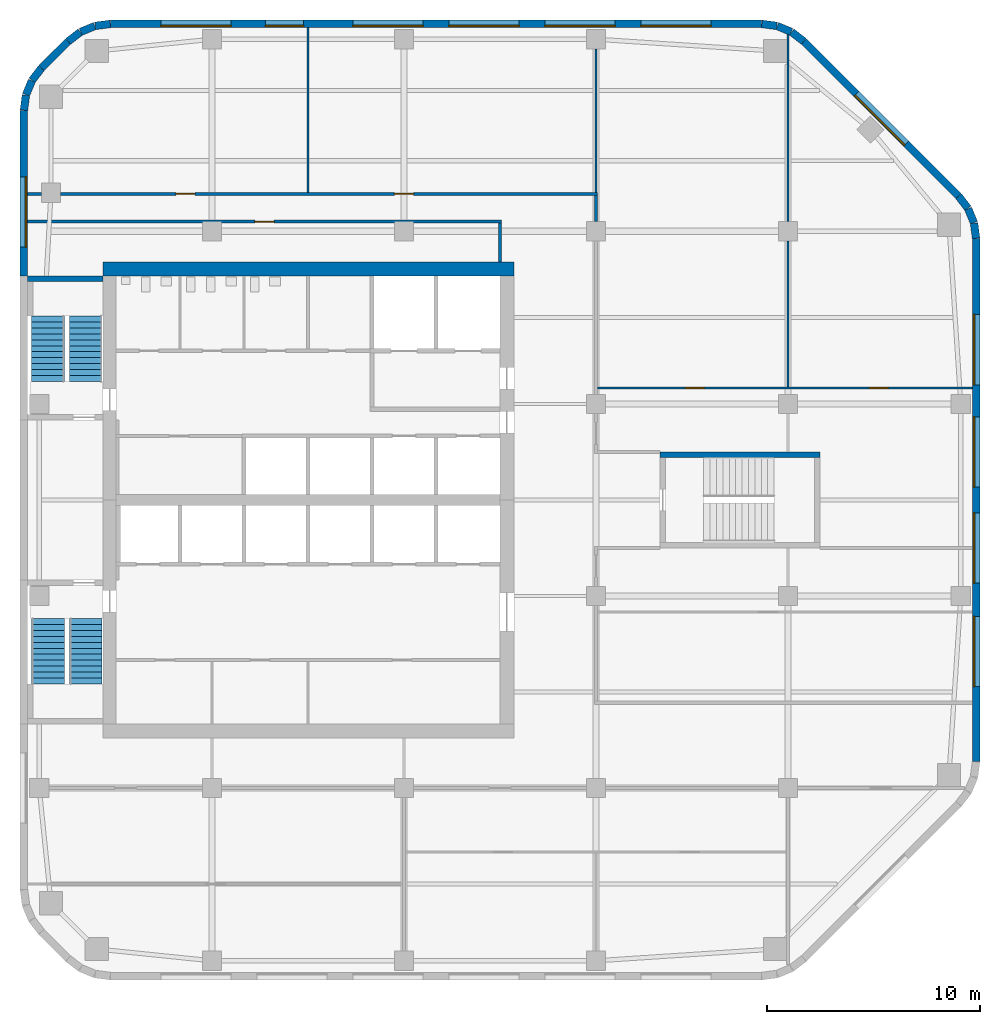
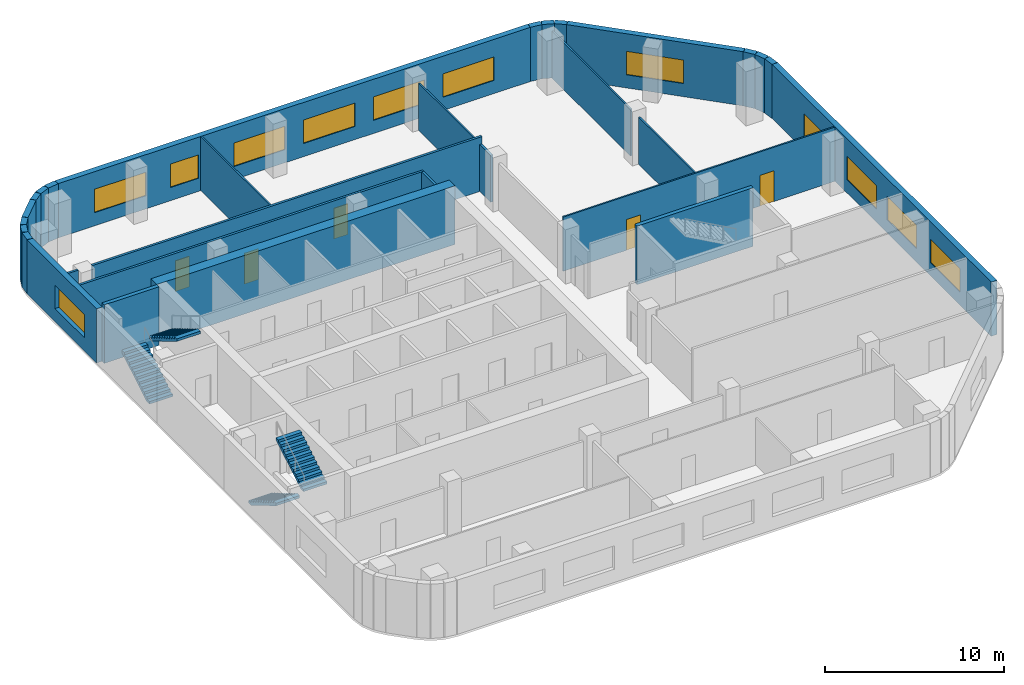
# One storey, part 5 of 8: 30 walls, 12 windows, 5 doors, 4 stair flights, 17 openings, 2 elements without a shape of their own.
"""IFC4 building model written with IfcOpenShell, lengths in metres."""

from ifc_helpers import new_model, si_unit, direction, frame, frame_2d, origin, place, context, subcontext, project, spatial, polyline, rectangle, outline, extrude, material, layer, layer_set, type_object, element, fill, aggregate, save


model = new_model("IFC4")

# Units and contexts
model_context = context("Model", 3, precision=1e-05, world=origin(), true_north=direction((0.0, 1.0)))
body_context = subcontext(model_context, "Body", "Model", "MODEL_VIEW")
ifc_project = project(units=[si_unit("LENGTHUNIT", "METRE"), si_unit("AREAUNIT", "SQUARE_METRE"), si_unit("VOLUMEUNIT", "CUBIC_METRE"), si_unit("PLANEANGLEUNIT", "RADIAN"), si_unit("MASSUNIT", "GRAM", prefix="KILO")], contexts=[model_context])

# Site, building, storey
site_placement = place(None, origin())
site = spatial("IfcSite", under=ifc_project, at=site_placement, CompositionType="ELEMENT")
building_placement = place(site_placement, origin())
building = spatial("IfcBuilding", under=site, at=building_placement, Name="Cinnabar Reach Civic Tower", CompositionType="ELEMENT")
storey_placement = place(building_placement, frame((0.0, 0.0, 189.0)))
storey = spatial("IfcBuildingStorey", under=building, at=storey_placement, Name="L45", CompositionType="ELEMENT", Elevation=189.0)

# Walls
ifc_material_1 = material(Name="Facing brick with insulated backing", Category="masonry")
ifc_layer_1 = layer(ifc_material_1, 0.36)
ifc_layer_set_1 = layer_set([ifc_layer_1], Name="Brick corner wall")
wall_type_1 = type_object("IfcWallType", Name="Brick corner wall", PredefinedType="STANDARD", material=ifc_layer_set_1)
for number, where, z_axis, x_axis, name in (
    (1, (44.817, 43.7686, 0.0), (0.0, 0.0, 1.0), (-0.13055608231, 0.99144092581, 0.0), "Brick corner wall"),
    (2, (44.7181, 44.4973, 0.0), (0.0, 0.0, 1.0), (-0.382702709855, 0.923871547278, 0.0), "Brick corner wall"),
):
    element("IfcWall", number, at=place(storey_placement, frame(where, z_axis=z_axis, x_axis=x_axis)), inside=storey, type_object=wall_type_1, Name=name, PredefinedType="STANDARD", context=body_context, shape_type="SweptSolid", body=[
        extrude(rectangle(XDim=0.7131, YDim=0.36, at=frame_2d((0.3565, 0.0))), origin(), (0.0, 0.0, 1.0), 3.7),
    ])
for number, where, z_axis, x_axis, name in (
    (3, (44.434, 45.1755, 0.0), (0.0, 0.0, 1.0), (-0.608802368033, 0.793321924995, 0.0), "Brick corner wall"),
    (4, (36.7413, 52.9998, 0.0), (0.0, 0.0, 1.0), (-0.793321924995, 0.608802368033, 0.0), "Brick corner wall"),
):
    element("IfcWall", number, at=place(storey_placement, frame(where, z_axis=z_axis, x_axis=x_axis)), inside=storey, type_object=wall_type_1, Name=name, PredefinedType="STANDARD", context=body_context, shape_type="SweptSolid", body=[
        extrude(rectangle(XDim=0.7132, YDim=0.36, at=frame_2d((0.3566, 0.0))), origin(), (0.0, 0.0, 1.0), 3.7),
    ])
for number, where, z_axis, x_axis, name in (
    (5, (36.1561, 53.4452, 0.0), (0.0, 0.0, 1.0), (-0.923871547278, 0.382702709855, 0.0), "Brick corner wall"),
    (6, (35.4756, 53.7239, 0.0), (0.0, 0.0, 1.0), (-0.99144092581, 0.13055608231, 0.0), "Brick corner wall"),
    (7, (4.2314, 53.817, 0.0), (0.0, 0.0, 1.0), (-0.99144092581, -0.13055608231, 0.0), "Brick corner wall"),
    (8, (3.5027, 53.7181, 0.0), (0.0, 0.0, 1.0), (-0.923871547278, -0.382702709855, 0.0), "Brick corner wall"),
):
    element("IfcWall", number, at=place(storey_placement, frame(where, z_axis=z_axis, x_axis=x_axis)), inside=storey, type_object=wall_type_1, Name=name, PredefinedType="STANDARD", context=body_context, shape_type="SweptSolid", body=[
        extrude(rectangle(XDim=0.7131, YDim=0.36, at=frame_2d((0.3565, 0.0))), origin(), (0.0, 0.0, 1.0), 3.7),
    ])
for number, where, z_axis, x_axis, name in (
    (9, (2.8245, 53.434, 0.0), (0.0, 0.0, 1.0), (-0.793321924995, -0.608802368033, 0.0), "Brick corner wall"),
    (10, (1.0002, 51.7413, 0.0), (0.0, 0.0, 1.0), (-0.608802368033, -0.793321924995, 0.0), "Brick corner wall"),
):
    element("IfcWall", number, at=place(storey_placement, frame(where, z_axis=z_axis, x_axis=x_axis)), inside=storey, type_object=wall_type_1, Name=name, PredefinedType="STANDARD", context=body_context, shape_type="SweptSolid", body=[
        extrude(rectangle(XDim=0.7132, YDim=0.36, at=frame_2d((0.3566, 0.0))), origin(), (0.0, 0.0, 1.0), 3.7),
    ])
for number, where, z_axis, x_axis, name in (
    (11, (0.5548, 51.1561, 0.0), (0.0, 0.0, 1.0), (-0.382702709855, -0.923871547278, 0.0), "Brick corner wall"),
    (12, (0.2761, 50.4756, 0.0), (0.0, 0.0, 1.0), (-0.13055608231, -0.99144092581, 0.0), "Brick corner wall"),
):
    element("IfcWall", number, at=place(storey_placement, frame(where, z_axis=z_axis, x_axis=x_axis)), inside=storey, type_object=wall_type_1, Name=name, PredefinedType="STANDARD", context=body_context, shape_type="SweptSolid", body=[
        extrude(rectangle(XDim=0.7131, YDim=0.36, at=frame_2d((0.3565, 0.0))), origin(), (0.0, 0.0, 1.0), 3.7),
    ])

# Wall, openings, windows
ifc_layer_2 = layer(ifc_material_1, 0.36)
ifc_layer_set_2 = layer_set([ifc_layer_2], Name="Brick pier and spandrel wall")
wall_type_2 = type_object("IfcWallType", Name="Brick pier and spandrel wall", PredefinedType="STANDARD", material=ifc_layer_set_2)
wall_1_placement = place(storey_placement, frame((44.82, 19.2426, 0.0), z_axis=(0.0, 0.0, 1.0), x_axis=(0.0, 1.0, 0.0)))
wall_1 = element("IfcWall", 13, at=wall_1_placement, inside=storey, type_object=wall_type_2, Name="Brick facade wall", PredefinedType="STANDARD", context=body_context, shape_type="SweptSolid", body=[
    extrude(rectangle(XDim=24.5148, YDim=0.36, at=frame_2d((12.2574, 0.0))), origin(), (0.0, 0.0, 1.0), 3.7),
])
opening_1_placement = place(wall_1_placement, frame((3.5074, 0.0, 0.9)))
opening_1 = element("IfcOpeningElement", 14, at=opening_1_placement, cuts=wall_1, Name="Opening W1928", PredefinedType="OPENING", context=body_context, shape_type="SweptSolid", body=[
    extrude(rectangle(XDim=3.3, YDim=1.6, at=frame_2d((1.65, 0.8))), frame((0.0, 0.19, 0.0), z_axis=(0.0, -1.0, 0.0), x_axis=(1.0, 0.0, 0.0)), (0.0, 0.0, 1.0), 0.38),
])
opening_2_placement = place(wall_1_placement, frame((8.3574, 0.0, 0.9)))
opening_2 = element("IfcOpeningElement", 15, at=opening_2_placement, cuts=wall_1, Name="Opening W1929", PredefinedType="OPENING", context=body_context, shape_type="SweptSolid", body=[
    extrude(rectangle(XDim=3.3, YDim=1.6, at=frame_2d((1.65, 0.8))), frame((0.0, 0.19, 0.0), z_axis=(0.0, -1.0, 0.0), x_axis=(1.0, 0.0, 0.0)), (0.0, 0.0, 1.0), 0.38),
])
opening_3_placement = place(wall_1_placement, frame((12.8574, 0.0, 0.9)))
opening_3 = element("IfcOpeningElement", 16, at=opening_3_placement, cuts=wall_1, Name="Opening W1930", PredefinedType="OPENING", context=body_context, shape_type="SweptSolid", body=[
    extrude(rectangle(XDim=3.3, YDim=1.6, at=frame_2d((1.65, 0.8))), frame((0.0, 0.19, 0.0), z_axis=(0.0, -1.0, 0.0), x_axis=(1.0, 0.0, 0.0)), (0.0, 0.0, 1.0), 0.38),
])
opening_4_placement = place(wall_1_placement, frame((17.6574, 0.0, 0.9)))
opening_4 = element("IfcOpeningElement", 17, at=opening_4_placement, cuts=wall_1, Name="Opening W1931", PredefinedType="OPENING", context=body_context, shape_type="SweptSolid", body=[
    extrude(rectangle(XDim=3.3, YDim=1.6, at=frame_2d((1.65, 0.8))), frame((0.0, 0.19, 0.0), z_axis=(0.0, -1.0, 0.0), x_axis=(1.0, 0.0, 0.0)), (0.0, 0.0, 1.0), 0.38),
])
ifc_material_2 = material(Name="Clear double glazing in aluminium frame", Category="aluminium")
window_type_1 = type_object("IfcWindowType", Name="Deep-set window A", PartitioningType="SINGLE_PANEL", PredefinedType="WINDOW", material=ifc_material_2)
window_1_placement = place(opening_1_placement, origin())
window_1 = element("IfcWindow", 18, at=window_1_placement, inside=storey, type_object=window_type_1, Name="Window east face", OverallHeight=1.6, OverallWidth=3.3, PartitioningType="SINGLE_PANEL", PredefinedType="WINDOW", context=body_context, shape_type="SweptSolid", body=[
    extrude(rectangle(XDim=3.3, YDim=1.6, at=frame_2d((1.65, 0.8))), frame((0.0, 0.13, 0.0), z_axis=(0.0, -1.0, 0.0), x_axis=(1.0, 0.0, 0.0)), (0.0, 0.0, 1.0), 0.06),
])
fill(opening_1, window_1)
window_2_placement = place(opening_2_placement, origin())
window_2 = element("IfcWindow", 19, at=window_2_placement, inside=storey, type_object=window_type_1, Name="Window east face", OverallHeight=1.6, OverallWidth=3.3, PartitioningType="SINGLE_PANEL", PredefinedType="WINDOW", context=body_context, shape_type="SweptSolid", body=[
    extrude(rectangle(XDim=3.3, YDim=1.6, at=frame_2d((1.65, 0.8))), frame((0.0, 0.13, 0.0), z_axis=(0.0, -1.0, 0.0), x_axis=(1.0, 0.0, 0.0)), (0.0, 0.0, 1.0), 0.06),
])
fill(opening_2, window_2)
window_3_placement = place(opening_3_placement, origin())
window_3 = element("IfcWindow", 20, at=window_3_placement, inside=storey, type_object=window_type_1, Name="Window east face", OverallHeight=1.6, OverallWidth=3.3, PartitioningType="SINGLE_PANEL", PredefinedType="WINDOW", context=body_context, shape_type="SweptSolid", body=[
    extrude(rectangle(XDim=3.3, YDim=1.6, at=frame_2d((1.65, 0.8))), frame((0.0, 0.13, 0.0), z_axis=(0.0, -1.0, 0.0), x_axis=(1.0, 0.0, 0.0)), (0.0, 0.0, 1.0), 0.06),
])
fill(opening_3, window_3)
window_4_placement = place(opening_4_placement, origin())
window_4 = element("IfcWindow", 21, at=window_4_placement, inside=storey, type_object=window_type_1, Name="Window east face", OverallHeight=1.6, OverallWidth=3.3, PartitioningType="SINGLE_PANEL", PredefinedType="WINDOW", context=body_context, shape_type="SweptSolid", body=[
    extrude(rectangle(XDim=3.3, YDim=1.6, at=frame_2d((1.65, 0.8))), frame((0.0, 0.13, 0.0), z_axis=(0.0, -1.0, 0.0), x_axis=(1.0, 0.0, 0.0)), (0.0, 0.0, 1.0), 0.06),
])
fill(opening_4, window_4)

# Wall, opening, window
wall_2_placement = place(storey_placement, frame((43.994, 45.7514, 0.0), z_axis=(0.0, 0.0, 1.0), x_axis=(-0.707106781187, 0.707106781187, 0.0)))
wall_2 = element("IfcWall", 22, at=wall_2_placement, inside=storey, type_object=wall_type_2, Name="Brick facade wall", PredefinedType="STANDARD", context=body_context, shape_type="SweptSolid", body=[
    extrude(rectangle(XDim=10.2426, YDim=0.36, at=frame_2d((5.1213, 0.0))), origin(), (0.0, 0.0, 1.0), 3.7),
])
opening_5_placement = place(wall_2_placement, frame((3.4713, 0.0, 0.9)))
opening_5 = element("IfcOpeningElement", 23, at=opening_5_placement, cuts=wall_2, Name="Opening W1932", PredefinedType="OPENING", context=body_context, shape_type="SweptSolid", body=[
    extrude(rectangle(XDim=3.3, YDim=1.6, at=frame_2d((1.65, 0.8))), frame((0.0, 0.19, 0.0), z_axis=(0.0, -1.0, 0.0), x_axis=(1.0, 0.0, 0.0)), (0.0, 0.0, 1.0), 0.38),
])
window_5_placement = place(opening_5_placement, origin())
window_5 = element("IfcWindow", 24, at=window_5_placement, inside=storey, type_object=window_type_1, Name="Window northeast face", OverallHeight=1.6, OverallWidth=3.3, PartitioningType="SINGLE_PANEL", PredefinedType="WINDOW", context=body_context, shape_type="SweptSolid", body=[
    extrude(rectangle(XDim=3.3, YDim=1.6, at=frame_2d((1.65, 0.8))), frame((0.0, 0.13, 0.0), z_axis=(0.0, -1.0, 0.0), x_axis=(1.0, 0.0, 0.0)), (0.0, 0.0, 1.0), 0.06),
])
fill(opening_5, window_5)

# Wall, openings, windows
wall_3_placement = place(storey_placement, frame((34.7574, 53.82, 0.0), z_axis=(0.0, 0.0, 1.0), x_axis=(-1.0, 0.0, 0.0)))
wall_3 = element("IfcWall", 25, at=wall_3_placement, inside=storey, type_object=wall_type_2, Name="Brick facade wall", PredefinedType="STANDARD", context=body_context, shape_type="SweptSolid", body=[
    extrude(rectangle(XDim=30.5148, YDim=0.36, at=frame_2d((15.2574, 0.0))), origin(), (0.0, 0.0, 1.0), 3.7),
])
opening_6_placement = place(wall_3_placement, frame((2.3574, 0.0, 0.9)))
opening_6 = element("IfcOpeningElement", 26, at=opening_6_placement, cuts=wall_3, Name="Opening W1933", PredefinedType="OPENING", context=body_context, shape_type="SweptSolid", body=[
    extrude(rectangle(XDim=3.3, YDim=1.6, at=frame_2d((1.65, 0.8))), frame((0.0, 0.19, 0.0), z_axis=(0.0, -1.0, 0.0), x_axis=(1.0, 0.0, 0.0)), (0.0, 0.0, 1.0), 0.38),
])
opening_7_placement = place(wall_3_placement, frame((6.8574, 0.0, 0.9)))
opening_7 = element("IfcOpeningElement", 27, at=opening_7_placement, cuts=wall_3, Name="Opening W1934", PredefinedType="OPENING", context=body_context, shape_type="SweptSolid", body=[
    extrude(rectangle(XDim=3.3, YDim=1.6, at=frame_2d((1.65, 0.8))), frame((0.0, 0.19, 0.0), z_axis=(0.0, -1.0, 0.0), x_axis=(1.0, 0.0, 0.0)), (0.0, 0.0, 1.0), 0.38),
])
opening_8_placement = place(wall_3_placement, frame((11.3574, 0.0, 0.9)))
opening_8 = element("IfcOpeningElement", 28, at=opening_8_placement, cuts=wall_3, Name="Opening W1935", PredefinedType="OPENING", context=body_context, shape_type="SweptSolid", body=[
    extrude(rectangle(XDim=3.3, YDim=1.6, at=frame_2d((1.65, 0.8))), frame((0.0, 0.19, 0.0), z_axis=(0.0, -1.0, 0.0), x_axis=(1.0, 0.0, 0.0)), (0.0, 0.0, 1.0), 0.38),
])
opening_9_placement = place(wall_3_placement, frame((15.8574, 0.0, 0.9)))
opening_9 = element("IfcOpeningElement", 29, at=opening_9_placement, cuts=wall_3, Name="Opening W1936", PredefinedType="OPENING", context=body_context, shape_type="SweptSolid", body=[
    extrude(rectangle(XDim=3.3, YDim=1.6, at=frame_2d((1.65, 0.8))), frame((0.0, 0.19, 0.0), z_axis=(0.0, -1.0, 0.0), x_axis=(1.0, 0.0, 0.0)), (0.0, 0.0, 1.0), 0.38),
])
opening_10_placement = place(wall_3_placement, frame((21.4574, 0.0, 0.9)))
opening_10 = element("IfcOpeningElement", 30, at=opening_10_placement, cuts=wall_3, Name="Opening W1937", PredefinedType="OPENING", context=body_context, shape_type="SweptSolid", body=[
    extrude(rectangle(XDim=1.8, YDim=1.6, at=frame_2d((0.9, 0.8))), frame((0.0, 0.19, 0.0), z_axis=(0.0, -1.0, 0.0), x_axis=(1.0, 0.0, 0.0)), (0.0, 0.0, 1.0), 0.38),
])
opening_11_placement = place(wall_3_placement, frame((24.8574, 0.0, 0.9)))
opening_11 = element("IfcOpeningElement", 31, at=opening_11_placement, cuts=wall_3, Name="Opening W1938", PredefinedType="OPENING", context=body_context, shape_type="SweptSolid", body=[
    extrude(rectangle(XDim=3.3, YDim=1.6, at=frame_2d((1.65, 0.8))), frame((0.0, 0.19, 0.0), z_axis=(0.0, -1.0, 0.0), x_axis=(1.0, 0.0, 0.0)), (0.0, 0.0, 1.0), 0.38),
])
window_6_placement = place(opening_6_placement, origin())
window_6 = element("IfcWindow", 32, at=window_6_placement, inside=storey, type_object=window_type_1, Name="Window north face", OverallHeight=1.6, OverallWidth=3.3, PartitioningType="SINGLE_PANEL", PredefinedType="WINDOW", context=body_context, shape_type="SweptSolid", body=[
    extrude(rectangle(XDim=3.3, YDim=1.6, at=frame_2d((1.65, 0.8))), frame((0.0, 0.13, 0.0), z_axis=(0.0, -1.0, 0.0), x_axis=(1.0, 0.0, 0.0)), (0.0, 0.0, 1.0), 0.06),
])
fill(opening_6, window_6)
window_7_placement = place(opening_7_placement, origin())
window_7 = element("IfcWindow", 33, at=window_7_placement, inside=storey, type_object=window_type_1, Name="Window north face", OverallHeight=1.6, OverallWidth=3.3, PartitioningType="SINGLE_PANEL", PredefinedType="WINDOW", context=body_context, shape_type="SweptSolid", body=[
    extrude(rectangle(XDim=3.3, YDim=1.6, at=frame_2d((1.65, 0.8))), frame((0.0, 0.13, 0.0), z_axis=(0.0, -1.0, 0.0), x_axis=(1.0, 0.0, 0.0)), (0.0, 0.0, 1.0), 0.06),
])
fill(opening_7, window_7)
window_8_placement = place(opening_8_placement, origin())
window_8 = element("IfcWindow", 34, at=window_8_placement, inside=storey, type_object=window_type_1, Name="Window north face", OverallHeight=1.6, OverallWidth=3.3, PartitioningType="SINGLE_PANEL", PredefinedType="WINDOW", context=body_context, shape_type="SweptSolid", body=[
    extrude(rectangle(XDim=3.3, YDim=1.6, at=frame_2d((1.65, 0.8))), frame((0.0, 0.13, 0.0), z_axis=(0.0, -1.0, 0.0), x_axis=(1.0, 0.0, 0.0)), (0.0, 0.0, 1.0), 0.06),
])
fill(opening_8, window_8)
window_9_placement = place(opening_9_placement, origin())
window_9 = element("IfcWindow", 35, at=window_9_placement, inside=storey, type_object=window_type_1, Name="Window north face", OverallHeight=1.6, OverallWidth=3.3, PartitioningType="SINGLE_PANEL", PredefinedType="WINDOW", context=body_context, shape_type="SweptSolid", body=[
    extrude(rectangle(XDim=3.3, YDim=1.6, at=frame_2d((1.65, 0.8))), frame((0.0, 0.13, 0.0), z_axis=(0.0, -1.0, 0.0), x_axis=(1.0, 0.0, 0.0)), (0.0, 0.0, 1.0), 0.06),
])
fill(opening_9, window_9)
window_10_placement = place(opening_11_placement, origin())
window_10 = element("IfcWindow", 36, at=window_10_placement, inside=storey, type_object=window_type_1, Name="Window north face", OverallHeight=1.6, OverallWidth=3.3, PartitioningType="SINGLE_PANEL", PredefinedType="WINDOW", context=body_context, shape_type="SweptSolid", body=[
    extrude(rectangle(XDim=3.3, YDim=1.6, at=frame_2d((1.65, 0.8))), frame((0.0, 0.13, 0.0), z_axis=(0.0, -1.0, 0.0), x_axis=(1.0, 0.0, 0.0)), (0.0, 0.0, 1.0), 0.06),
])
fill(opening_11, window_10)
window_type_2 = type_object("IfcWindowType", Name="Deep-set window D", PartitioningType="SINGLE_PANEL", PredefinedType="WINDOW", material=ifc_material_2)
window_11_placement = place(opening_10_placement, origin())
window_11 = element("IfcWindow", 37, at=window_11_placement, inside=storey, type_object=window_type_2, Name="Window north face", OverallHeight=1.6, OverallWidth=1.8, PartitioningType="SINGLE_PANEL", PredefinedType="WINDOW", context=body_context, shape_type="SweptSolid", body=[
    extrude(rectangle(XDim=1.8, YDim=1.6, at=frame_2d((0.9, 0.8))), frame((0.0, 0.13, 0.0), z_axis=(0.0, -1.0, 0.0), x_axis=(1.0, 0.0, 0.0)), (0.0, 0.0, 1.0), 0.06),
])
fill(opening_10, window_11)

# Wall
wall_4_placement = place(storey_placement, frame((2.2486, 52.994, 0.0), z_axis=(0.0, 0.0, 1.0), x_axis=(-0.707106781187, -0.707106781187, 0.0)))
element("IfcWall", 38, at=wall_4_placement, inside=storey, type_object=wall_type_2, Name="Brick facade wall", PredefinedType="STANDARD", context=body_context, shape_type="SweptSolid", body=[
    extrude(rectangle(XDim=1.7573, YDim=0.36, at=frame_2d((0.8787, 0.0))), origin(), (0.0, 0.0, 1.0), 3.7),
])

# Wall, opening, window
wall_5_placement = place(storey_placement, frame((0.18, 49.7574, 0.0), z_axis=(0.0, 0.0, 1.0), x_axis=(0.0, -1.0, 0.0)))
wall_5 = element("IfcWall", 39, at=wall_5_placement, inside=storey, type_object=wall_type_2, Name="Brick facade wall", PredefinedType="STANDARD", context=body_context, shape_type="SweptSolid", body=[
    extrude(rectangle(XDim=7.7574, YDim=0.36, at=frame_2d((3.8787, 0.0))), origin(), (0.0, 0.0, 1.0), 3.7),
])
opening_12_placement = place(wall_5_placement, frame((3.1074, 0.0, 0.9)))
opening_12 = element("IfcOpeningElement", 40, at=opening_12_placement, cuts=wall_5, Name="Opening W1939", PredefinedType="OPENING", context=body_context, shape_type="SweptSolid", body=[
    extrude(rectangle(XDim=3.3, YDim=1.6, at=frame_2d((1.65, 0.8))), frame((0.0, 0.19, 0.0), z_axis=(0.0, -1.0, 0.0), x_axis=(1.0, 0.0, 0.0)), (0.0, 0.0, 1.0), 0.38),
])
window_12_placement = place(opening_12_placement, origin())
window_12 = element("IfcWindow", 41, at=window_12_placement, inside=storey, type_object=window_type_1, Name="Window west face", OverallHeight=1.6, OverallWidth=3.3, PartitioningType="SINGLE_PANEL", PredefinedType="WINDOW", context=body_context, shape_type="SweptSolid", body=[
    extrude(rectangle(XDim=3.3, YDim=1.6, at=frame_2d((1.65, 0.8))), frame((0.0, 0.13, 0.0), z_axis=(0.0, -1.0, 0.0), x_axis=(1.0, 0.0, 0.0)), (0.0, 0.0, 1.0), 0.06),
])
fill(opening_12, window_12)

# Wall
ifc_material_3 = material(Name="Concrete C70", Category="concrete")
ifc_layer_3 = layer(ifc_material_3, 0.65)
ifc_layer_set_3 = layer_set([ifc_layer_3], Name="Core wall 650 EI 180")
wall_type_3 = type_object("IfcWallType", Name="Core wall 650 EI 180", PredefinedType="SOLIDWALL", material=ifc_layer_set_3)
wall_6_placement = place(storey_placement, frame((23.15, 42.325, 0.0), z_axis=(0.0, 0.0, 1.0), x_axis=(-1.0, 0.0, 0.0)))
element("IfcWall", 42, at=wall_6_placement, inside=storey, type_object=wall_type_3, Name="Core wall T1 L45 N", PredefinedType="SOLIDWALL", context=body_context, shape_type="SweptSolid", body=[
    extrude(rectangle(XDim=19.25, YDim=0.65, at=frame_2d((9.625, 0.0))), origin(), (0.0, 0.0, 1.0), 4.0),
])

# Wall, openings, doors
ifc_material_4 = material(Name="Gypsum board on steel studs, double layer", Category="steel")
ifc_layer_4 = layer(ifc_material_4, 0.15)
ifc_layer_set_4 = layer_set([ifc_layer_4], Name="Corridor wall 150 T1")
wall_type_4 = type_object("IfcWallType", Name="Corridor wall 150 T1", PredefinedType="PARTITIONING", material=ifc_layer_set_4)
wall_7_placement = place(storey_placement, frame((1.9031, 45.85, 0.0), z_axis=(0.0, 0.0, 1.0), x_axis=(1.0, 0.0, 0.0)))
wall_7 = element("IfcWall", 43, at=wall_7_placement, inside=storey, type_object=wall_type_4, Name="Corridor wall 23", PredefinedType="PARTITIONING", context=body_context, shape_type="SweptSolid", body=[
    extrude(rectangle(XDim=25.1719, YDim=0.15, at=frame_2d((12.586, 0.0))), origin(), (0.0, 0.0, 1.0), 3.7),
])
opening_13_placement = place(wall_7_placement, frame((5.4, 0.0, 0.0)))
opening_13 = element("IfcOpeningElement", 44, at=opening_13_placement, cuts=wall_7, Name="Opening D4870", PredefinedType="OPENING", context=body_context, shape_type="SweptSolid", body=[
    extrude(rectangle(XDim=0.9, YDim=2.1, at=frame_2d((0.45, 1.05))), frame((0.0, 0.085, 0.0), z_axis=(0.0, -1.0, 0.0), x_axis=(1.0, 0.0, 0.0)), (0.0, 0.0, 1.0), 0.17),
])
opening_14_placement = place(wall_7_placement, frame((15.6469, 0.0, 0.0)))
opening_14 = element("IfcOpeningElement", 45, at=opening_14_placement, cuts=wall_7, Name="Opening D4871", PredefinedType="OPENING", context=body_context, shape_type="SweptSolid", body=[
    extrude(rectangle(XDim=0.9, YDim=2.1, at=frame_2d((0.45, 1.05))), frame((0.0, 0.085, 0.0), z_axis=(0.0, -1.0, 0.0), x_axis=(1.0, 0.0, 0.0)), (0.0, 0.0, 1.0), 0.17),
])
ifc_material_5 = material(Name="Timber door leaf in steel frame", Category="steel")
door_type_1 = type_object("IfcDoorType", Name="Single swing door 900 x 2100 corridor T1", OperationType="SINGLE_SWING_LEFT", PredefinedType="DOOR", material=ifc_material_5)
door_1_placement = place(opening_13_placement, origin())
door_1 = element("IfcDoor", 46, at=door_1_placement, inside=storey, type_object=door_type_1, Name="Door D4870", OperationType="SINGLE_SWING_LEFT", OverallHeight=2.1, OverallWidth=0.9, PredefinedType="DOOR", context=body_context, shape_type="SweptSolid", body=[
    extrude(rectangle(XDim=0.9, YDim=2.1, at=frame_2d((0.45, 1.05))), frame((0.0, 0.025, 0.0), z_axis=(0.0, -1.0, 0.0), x_axis=(1.0, 0.0, 0.0)), (0.0, 0.0, 1.0), 0.05),
])
fill(opening_13, door_1)
door_2_placement = place(opening_14_placement, origin())
door_2 = element("IfcDoor", 47, at=door_2_placement, inside=storey, type_object=door_type_1, Name="Door D4871", OperationType="SINGLE_SWING_LEFT", OverallHeight=2.1, OverallWidth=0.9, PredefinedType="DOOR", context=body_context, shape_type="SweptSolid", body=[
    extrude(rectangle(XDim=0.9, YDim=2.1, at=frame_2d((0.45, 1.05))), frame((0.0, 0.025, 0.0), z_axis=(0.0, -1.0, 0.0), x_axis=(1.0, 0.0, 0.0)), (0.0, 0.0, 1.0), 0.05),
])
fill(opening_14, door_2)

# Wall
wall_8_placement = place(storey_placement, frame((0.36, 45.85, 0.0), z_axis=(0.0, 0.0, 1.0), x_axis=(1.0, 0.0, 0.0)))
element("IfcWall", 48, at=wall_8_placement, inside=storey, type_object=wall_type_4, Name="Corridor wall 24", PredefinedType="PARTITIONING", context=body_context, shape_type="SweptSolid", body=[
    extrude(rectangle(XDim=0.6431, YDim=0.15, at=frame_2d((0.3216, 0.0))), origin(), (0.0, 0.0, 1.0), 3.7),
])

# Wall, opening, door
wall_9_placement = place(storey_placement, frame((0.36, 44.55, 0.0), z_axis=(0.0, 0.0, 1.0), x_axis=(1.0, 0.0, 0.0)))
wall_9 = element("IfcWall", 49, at=wall_9_placement, inside=storey, type_object=wall_type_4, Name="Corridor wall 25", PredefinedType="PARTITIONING", context=body_context, shape_type="SweptSolid", body=[
    extrude(rectangle(XDim=22.215, YDim=0.15, at=frame_2d((11.1075, 0.0))), origin(), (0.0, 0.0, 1.0), 3.7),
])
opening_15_placement = place(wall_9_placement, frame((10.65, 0.0, 0.0)))
opening_15 = element("IfcOpeningElement", 50, at=opening_15_placement, cuts=wall_9, Name="Opening D5800", PredefinedType="OPENING", context=body_context, shape_type="SweptSolid", body=[
    extrude(rectangle(XDim=0.9, YDim=2.1, at=frame_2d((0.45, 1.05))), frame((0.0, 0.085, 0.0), z_axis=(0.0, -1.0, 0.0), x_axis=(1.0, 0.0, 0.0)), (0.0, 0.0, 1.0), 0.17),
])
door_3_placement = place(opening_15_placement, frame((0.9, 0.0, 0.0), z_axis=(0.0, 0.0, 1.0), x_axis=(-1.0, 0.0, 0.0)))
door_3 = element("IfcDoor", 51, at=door_3_placement, inside=storey, type_object=door_type_1, Name="Door D5800", OperationType="SINGLE_SWING_RIGHT", OverallHeight=2.1, OverallWidth=0.9, PredefinedType="DOOR", context=body_context, shape_type="SweptSolid", body=[
    extrude(rectangle(XDim=0.9, YDim=2.1, at=frame_2d((0.45, 1.05))), frame((0.0, 0.025, 0.0), z_axis=(0.0, -1.0, 0.0), x_axis=(1.0, 0.0, 0.0)), (0.0, 0.0, 1.0), 0.05),
])
fill(opening_15, door_3)

# Walls
wall_10_placement = place(storey_placement, frame((27.0, 44.55, 0.0), z_axis=(0.0, 0.0, 1.0), x_axis=(0.0, 1.0, 0.0)))
element("IfcWall", 52, at=wall_10_placement, inside=storey, type_object=wall_type_4, Name="Corridor wall 30", PredefinedType="PARTITIONING", context=body_context, shape_type="SweptSolid", body=[
    extrude(rectangle(XDim=1.225, YDim=0.15, at=frame_2d((0.6125, 0.0))), origin(), (0.0, 0.0, 1.0), 3.212),
])
wall_11_placement = place(storey_placement, frame((22.5, 42.65, 0.0), z_axis=(0.0, 0.0, 1.0), x_axis=(0.0, 1.0, 0.0)))
element("IfcWall", 53, at=wall_11_placement, inside=storey, type_object=wall_type_4, Name="Corridor wall 39", PredefinedType="PARTITIONING", context=body_context, shape_type="SweptSolid", body=[
    extrude(rectangle(XDim=1.825, YDim=0.15, at=frame_2d((0.9125, 0.0))), origin(), (0.0, 0.0, 1.0), 3.7),
])

# Wall, openings, doors
ifc_material_6 = material(Name="Gypsum board on steel studs", Category="steel")
ifc_layer_5 = layer(ifc_material_6, 0.1)
ifc_layer_set_5 = layer_set([ifc_layer_5], Name="Partition wall 100 T1")
wall_type_5 = type_object("IfcWallType", Name="Partition wall 100 T1", PredefinedType="PARTITIONING", material=ifc_layer_set_5)
wall_12_placement = place(storey_placement, frame((27.075, 36.75, 0.0), z_axis=(0.0, 0.0, 1.0), x_axis=(1.0, 0.0, 0.0)))
wall_12 = element("IfcWall", 54, at=wall_12_placement, inside=storey, type_object=wall_type_5, Name="Partition wall 48", PredefinedType="PARTITIONING", context=body_context, shape_type="SweptSolid", body=[
    extrude(rectangle(XDim=17.565, YDim=0.1, at=frame_2d((8.7825, 0.0))), origin(), (0.0, 0.0, 1.0), 3.7),
])
opening_16_placement = place(wall_12_placement, frame((4.1, 0.0, 0.0)))
opening_16 = element("IfcOpeningElement", 55, at=opening_16_placement, cuts=wall_12, Name="Opening D4860", PredefinedType="OPENING", context=body_context, shape_type="SweptSolid", body=[
    extrude(rectangle(XDim=0.9, YDim=2.1, at=frame_2d((0.45, 1.05))), frame((0.0, 0.06, 0.0), z_axis=(0.0, -1.0, 0.0), x_axis=(1.0, 0.0, 0.0)), (0.0, 0.0, 1.0), 0.12),
])
opening_17_placement = place(wall_12_placement, frame((12.725, 0.0, 0.0)))
opening_17 = element("IfcOpeningElement", 56, at=opening_17_placement, cuts=wall_12, Name="Opening D4861", PredefinedType="OPENING", context=body_context, shape_type="SweptSolid", body=[
    extrude(rectangle(XDim=0.9, YDim=2.1, at=frame_2d((0.45, 1.05))), frame((0.0, 0.06, 0.0), z_axis=(0.0, -1.0, 0.0), x_axis=(1.0, 0.0, 0.0)), (0.0, 0.0, 1.0), 0.12),
])
door_type_2 = type_object("IfcDoorType", Name="Single swing door 900 x 2100 T1", OperationType="SINGLE_SWING_LEFT", PredefinedType="DOOR", material=ifc_material_5)
door_4_placement = place(opening_16_placement, frame((0.9, 0.0, 0.0), z_axis=(0.0, 0.0, 1.0), x_axis=(-1.0, 0.0, 0.0)))
door_4 = element("IfcDoor", 57, at=door_4_placement, inside=storey, type_object=door_type_2, Name="Door D4860", OperationType="SINGLE_SWING_LEFT", OverallHeight=2.1, OverallWidth=0.9, PredefinedType="DOOR", context=body_context, shape_type="SweptSolid", body=[
    extrude(rectangle(XDim=0.9, YDim=2.1, at=frame_2d((0.45, 1.05))), frame((0.0, 0.025, 0.0), z_axis=(0.0, -1.0, 0.0), x_axis=(1.0, 0.0, 0.0)), (0.0, 0.0, 1.0), 0.05),
])
fill(opening_16, door_4)
door_5_placement = place(opening_17_placement, frame((0.9, 0.0, 0.0), z_axis=(0.0, 0.0, 1.0), x_axis=(-1.0, 0.0, 0.0)))
door_5 = element("IfcDoor", 58, at=door_5_placement, inside=storey, type_object=door_type_2, Name="Door D4861", OperationType="SINGLE_SWING_RIGHT", OverallHeight=2.1, OverallWidth=0.9, PredefinedType="DOOR", context=body_context, shape_type="SweptSolid", body=[
    extrude(rectangle(XDim=0.9, YDim=2.1, at=frame_2d((0.45, 1.05))), frame((0.0, 0.025, 0.0), z_axis=(0.0, -1.0, 0.0), x_axis=(1.0, 0.0, 0.0)), (0.0, 0.0, 1.0), 0.05),
])
fill(opening_17, door_5)

# Walls
wall_13_placement = place(storey_placement, frame((36.0, 36.8, 0.0), z_axis=(0.0, 0.0, 1.0), x_axis=(0.0, 1.0, 0.0)))
element("IfcWall", 59, at=wall_13_placement, inside=storey, type_object=wall_type_5, Name="Partition wall 49", PredefinedType="PARTITIONING", context=body_context, shape_type="SweptSolid", body=[
    extrude(rectangle(XDim=6.85, YDim=0.1, at=frame_2d((3.425, 0.0))), origin(), (0.0, 0.0, 1.0), 3.212),
])
wall_14_placement = place(storey_placement, frame((36.0, 44.55, 0.0), z_axis=(0.0, 0.0, 1.0), x_axis=(0.0, 1.0, 0.0)))
element("IfcWall", 60, at=wall_14_placement, inside=storey, type_object=wall_type_5, Name="Partition wall 50", PredefinedType="PARTITIONING", context=body_context, shape_type="SweptSolid", body=[
    extrude(rectangle(XDim=8.765, YDim=0.1, at=frame_2d((4.3825, 0.0))), origin(), (0.0, 0.0, 1.0), 3.212),
])
wall_15_placement = place(storey_placement, frame((13.5, 45.925, 0.0), z_axis=(0.0, 0.0, 1.0), x_axis=(0.0, 1.0, 0.0)))
element("IfcWall", 61, at=wall_15_placement, inside=storey, type_object=wall_type_5, Name="Partition wall 51", PredefinedType="PARTITIONING", context=body_context, shape_type="SweptSolid", body=[
    extrude(rectangle(XDim=7.715, YDim=0.1, at=frame_2d((3.8575, 0.0))), origin(), (0.0, 0.0, 1.0), 3.7),
])
wall_16_placement = place(storey_placement, frame((27.0, 45.925, 0.0), z_axis=(0.0, 0.0, 1.0), x_axis=(0.0, 1.0, 0.0)))
element("IfcWall", 62, at=wall_16_placement, inside=storey, type_object=wall_type_5, Name="Partition wall 52", PredefinedType="PARTITIONING", context=body_context, shape_type="SweptSolid", body=[
    extrude(rectangle(XDim=6.725, YDim=0.1, at=frame_2d((3.3625, 0.0))), origin(), (0.0, 0.0, 1.0), 3.212),
])
ifc_material_7 = material(Name="Concrete C60", Category="concrete")
ifc_layer_6 = layer(ifc_material_7, 0.25)
ifc_layer_set_6 = layer_set([ifc_layer_6], Name="Stair shaft wall 250 EI 120")
wall_type_6 = type_object("IfcWallType", Name="Stair shaft wall 250 EI 120", PredefinedType="SOLIDWALL", material=ifc_layer_set_6)
wall_17_placement = place(storey_placement, frame((3.9, 41.875, 0.0), z_axis=(0.0, 0.0, 1.0), x_axis=(-1.0, 0.0, 0.0)))
element("IfcWall", 63, at=wall_17_placement, inside=storey, type_object=wall_type_6, Name="Stair shaft wall T1-S2 L45", PredefinedType="SOLIDWALL", context=body_context, shape_type="SweptSolid", body=[
    extrude(rectangle(XDim=3.54, YDim=0.25, at=frame_2d((1.77, 0.0))), origin(), (0.0, 0.0, 1.0), 4.0),
])
wall_18_placement = place(storey_placement, frame((37.5, 33.625, 0.0), z_axis=(0.0, 0.0, 1.0), x_axis=(-1.0, 0.0, 0.0)))
element("IfcWall", 64, at=wall_18_placement, inside=storey, type_object=wall_type_6, Name="Stair shaft wall T1-S3 L45", PredefinedType="SOLIDWALL", context=body_context, shape_type="SweptSolid", body=[
    extrude(rectangle(XDim=7.5, YDim=0.25, at=frame_2d((3.75, 0.0))), origin(), (0.0, 0.0, 1.0), 4.0),
])

# Stair, stair flights
ifc_material_8 = material(Name="Concrete C40/50", Category="concrete")
stair_type = type_object("IfcStairType", Name="T1 Exit stair, half-turn", PredefinedType="HALF_TURN_STAIR", material=ifc_material_8)
stair_1_placement = place(storey_placement, origin())
stair_1 = element("IfcStair", 65, at=stair_1_placement, inside=storey, type_object=stair_type, Name="Stair T1-S1", PredefinedType="HALF_TURN_STAIR")
stair_flight_type = type_object("IfcStairFlightType", Name="T1 Stair flight, concrete", PredefinedType="STRAIGHT", material=ifc_material_8)
stair_flight_1_placement = place(storey_placement, frame((1.3125, 25.95, 0.0), z_axis=(0.0, 0.0, 1.0), x_axis=(0.0, -1.0, 0.0)))
stair_flight_1 = element("IfcStairFlight", 66, at=stair_flight_1_placement, type_object=stair_flight_type, Name="T1-S1 flight 1", NumberOfRisers=12, NumberOfTreads=11, PredefinedType="STRAIGHT", RiserHeight=0.166666667, TreadLength=0.28, context=body_context, shape_type="SweptSolid", body=[
    extrude(outline(polyline([(0.0, 0.0), (0.0, 0.1667), (0.28, 0.1667), (0.28, 0.3333), (0.56, 0.3333), (0.56, 0.5), (0.84, 0.5), (0.84, 0.6667), (1.12, 0.6667), (1.12, 0.8333), (1.4, 0.8333), (1.4, 1.0), (1.68, 1.0), (1.68, 1.1667), (1.96, 1.1667), (1.96, 1.3333), (2.24, 1.3333), (2.24, 1.5), (2.52, 1.5), (2.52, 1.6667), (2.8, 1.6667), (2.8, 1.8333), (3.08, 1.8333), (3.08, 2.0), (3.08, 1.6588), (0.2933, 0.0), (0.0, 0.0)])), frame((0.0, 0.7625, 0.0), z_axis=(0.0, -1.0, 0.0), x_axis=(1.0, 0.0, 0.0)), (0.0, 0.0, 1.0), 1.525),
])
stair_flight_2_placement = place(storey_placement, frame((3.0875, 22.87, 2.0), z_axis=(0.0, 0.0, 1.0), x_axis=(0.0, 1.0, 0.0)))
stair_flight_2 = element("IfcStairFlight", 67, at=stair_flight_2_placement, type_object=stair_flight_type, Name="T1-S1 flight 2", NumberOfRisers=12, NumberOfTreads=11, PredefinedType="STRAIGHT", RiserHeight=0.166666667, TreadLength=0.28, context=body_context, shape_type="SweptSolid", body=[
    extrude(outline(polyline([(0.0, 0.0), (0.0, 0.1667), (0.28, 0.1667), (0.28, 0.3333), (0.56, 0.3333), (0.56, 0.5), (0.84, 0.5), (0.84, 0.6667), (1.12, 0.6667), (1.12, 0.8333), (1.4, 0.8333), (1.4, 1.0), (1.68, 1.0), (1.68, 1.1667), (1.96, 1.1667), (1.96, 1.3333), (2.24, 1.3333), (2.24, 1.5), (2.52, 1.5), (2.52, 1.6667), (2.8, 1.6667), (2.8, 1.8333), (3.08, 1.8333), (3.08, 2.0), (3.08, 1.6588), (0.2933, 0.0), (0.0, 0.0)])), frame((0.0, 0.7625, 0.0), z_axis=(0.0, -1.0, 0.0), x_axis=(1.0, 0.0, 0.0)), (0.0, 0.0, 1.0), 1.525),
])
aggregate(stair_1, [stair_flight_1, stair_flight_2])

stair_2_placement = place(storey_placement, origin())
stair_2 = element("IfcStair", 68, at=stair_2_placement, inside=storey, type_object=stair_type, Name="Stair T1-S2", PredefinedType="HALF_TURN_STAIR")
stair_flight_3_placement = place(storey_placement, frame((1.3125, 37.05, 0.0), z_axis=(0.0, 0.0, 1.0), x_axis=(0.0, 1.0, 0.0)))
stair_flight_3 = element("IfcStairFlight", 69, at=stair_flight_3_placement, type_object=stair_flight_type, Name="T1-S2 flight 1", NumberOfRisers=12, NumberOfTreads=11, PredefinedType="STRAIGHT", RiserHeight=0.166666667, TreadLength=0.28, context=body_context, shape_type="SweptSolid", body=[
    extrude(outline(polyline([(0.0, 0.0), (0.0, 0.1667), (0.28, 0.1667), (0.28, 0.3333), (0.56, 0.3333), (0.56, 0.5), (0.84, 0.5), (0.84, 0.6667), (1.12, 0.6667), (1.12, 0.8333), (1.4, 0.8333), (1.4, 1.0), (1.68, 1.0), (1.68, 1.1667), (1.96, 1.1667), (1.96, 1.3333), (2.24, 1.3333), (2.24, 1.5), (2.52, 1.5), (2.52, 1.6667), (2.8, 1.6667), (2.8, 1.8333), (3.08, 1.8333), (3.08, 2.0), (3.08, 1.6588), (0.2933, 0.0), (0.0, 0.0)])), frame((0.0, 0.7625, 0.0), z_axis=(0.0, -1.0, 0.0), x_axis=(1.0, 0.0, 0.0)), (0.0, 0.0, 1.0), 1.525),
])
stair_flight_4_placement = place(storey_placement, frame((3.0875, 40.13, 2.0), z_axis=(0.0, 0.0, 1.0), x_axis=(0.0, -1.0, 0.0)))
stair_flight_4 = element("IfcStairFlight", 70, at=stair_flight_4_placement, type_object=stair_flight_type, Name="T1-S2 flight 2", NumberOfRisers=12, NumberOfTreads=11, PredefinedType="STRAIGHT", RiserHeight=0.166666667, TreadLength=0.28, context=body_context, shape_type="SweptSolid", body=[
    extrude(outline(polyline([(0.0, 0.0), (0.0, 0.1667), (0.28, 0.1667), (0.28, 0.3333), (0.56, 0.3333), (0.56, 0.5), (0.84, 0.5), (0.84, 0.6667), (1.12, 0.6667), (1.12, 0.8333), (1.4, 0.8333), (1.4, 1.0), (1.68, 1.0), (1.68, 1.1667), (1.96, 1.1667), (1.96, 1.3333), (2.24, 1.3333), (2.24, 1.5), (2.52, 1.5), (2.52, 1.6667), (2.8, 1.6667), (2.8, 1.8333), (3.08, 1.8333), (3.08, 2.0), (3.08, 1.6588), (0.2933, 0.0), (0.0, 0.0)])), frame((0.0, 0.7625, 0.0), z_axis=(0.0, -1.0, 0.0), x_axis=(1.0, 0.0, 0.0)), (0.0, 0.0, 1.0), 1.525),
])
aggregate(stair_2, [stair_flight_3, stair_flight_4])

save(model, "model.ifc")
